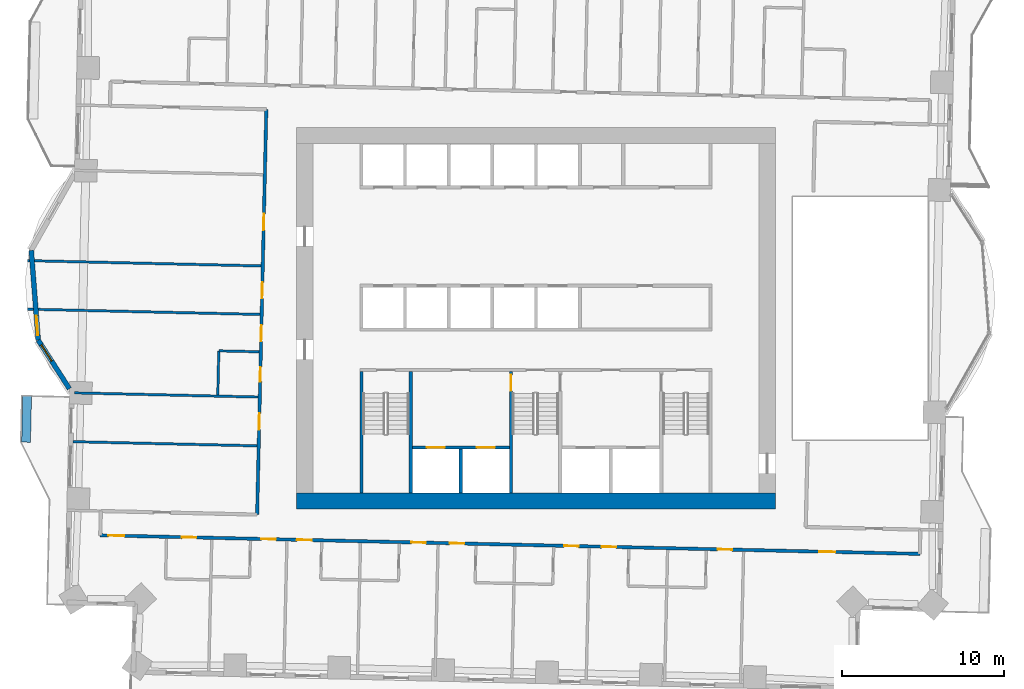
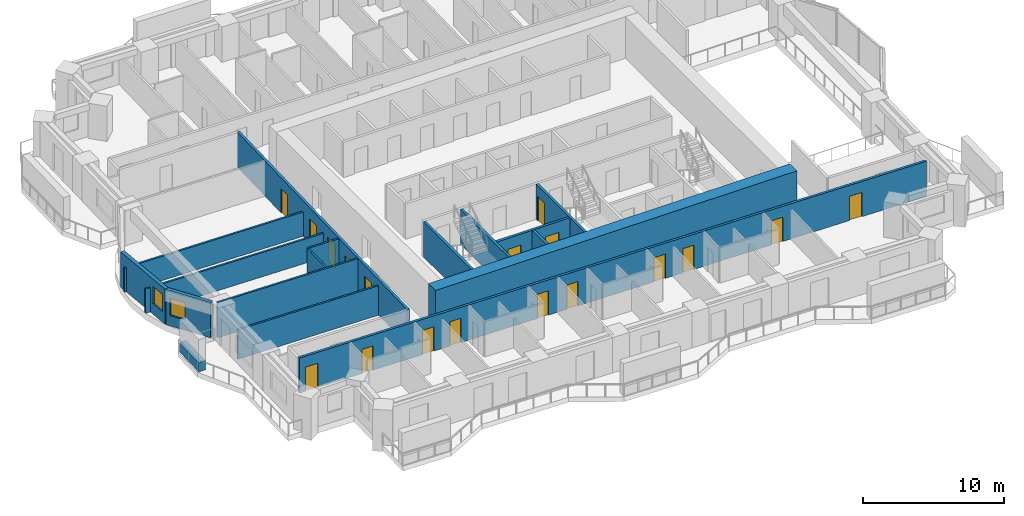
# One storey, part 7 of 16: 18 doors, 17 walls, 2 windows, 20 openings.
"""IFC4 building model written with IfcOpenShell, lengths in metres."""

from ifc_helpers import new_model, si_unit, direction, frame, frame_2d, origin, place, context, subcontext, project, spatial, rectangle, extrude, material, layer, layer_set, type_object, element, fill, save


model = new_model("IFC4")

# Units and contexts
model_context = context("Model", 3, precision=1e-05, world=origin(), true_north=direction((0.0, 1.0)))
body_context = subcontext(model_context, "Body", "Model", "MODEL_VIEW")
ifc_project = project(units=[si_unit("LENGTHUNIT", "METRE"), si_unit("AREAUNIT", "SQUARE_METRE"), si_unit("VOLUMEUNIT", "CUBIC_METRE"), si_unit("PLANEANGLEUNIT", "RADIAN"), si_unit("MASSUNIT", "GRAM", prefix="KILO")], contexts=[model_context])

# Site, building, storey
site_placement = place(None, origin())
site = spatial("IfcSite", under=ifc_project, at=site_placement, CompositionType="ELEMENT")
building_placement = place(site_placement, origin())
building = spatial("IfcBuilding", under=site, at=building_placement, Name="Mangrove Gate Tower", CompositionType="ELEMENT")
storey_placement = place(building_placement, frame((0.0, 0.0, 105.5)))
storey = spatial("IfcBuildingStorey", under=building, at=storey_placement, Name="L26", CompositionType="ELEMENT", Elevation=105.5)

# Wall, openings, doors
ifc_material_1 = material(Name="Concrete C70/85", Category="concrete")
ifc_layer_1 = layer(ifc_material_1, 0.199951171875)
ifc_layer_set_1 = layer_set([ifc_layer_1], Name="Core shaft wall 200 C70/85")
wall_type_1 = type_object("IfcWallType", Name="Core shaft wall 200 C70/85", PredefinedType="SHEAR", material=ifc_layer_set_1)
wall_1_placement = place(storey_placement, frame((-7.64990234375, -8.0, 0.0), z_axis=(0.0, 0.0, 1.0), x_axis=(1.0, 0.0, 0.0)))
wall_1 = element("IfcWall", 1, at=wall_1_placement, inside=storey, type_object=wall_type_1, Name="WALL-L26-CORE-15", PredefinedType="SHEAR", context=body_context, shape_type="SweptSolid", body=[
    extrude(rectangle(XDim=6.0, YDim=0.199951171875, at=frame_2d((3.0, 0.0))), origin(), (0.0, 0.0, 1.0), 3.050048828125),
])
opening_1_placement = place(wall_1_placement, frame((0.89990234375, 0.0, 0.0)))
opening_1 = element("IfcOpeningElement", 2, at=opening_1_placement, cuts=wall_1, Name="Opening LD", PredefinedType="OPENING", context=body_context, shape_type="SweptSolid", body=[
    extrude(rectangle(XDim=1.10009765625, YDim=2.10009765625, at=frame_2d((0.550048828125, 1.050048828125))), frame((0.0, 0.10986328125, 0.0), z_axis=(0.0, -1.0, 0.0), x_axis=(1.0, 0.0, 0.0)), (0.0, 0.0, 1.0), 0.219970703125),
])
opening_2_placement = place(wall_1_placement, frame((4.0, 0.0, 0.0)))
opening_2 = element("IfcOpeningElement", 3, at=opening_2_placement, cuts=wall_1, Name="Opening LD", PredefinedType="OPENING", context=body_context, shape_type="SweptSolid", body=[
    extrude(rectangle(XDim=1.10009765625, YDim=2.10009765625, at=frame_2d((0.550048828125, 1.050048828125))), frame((0.0, 0.10986328125, 0.0), z_axis=(0.0, -1.0, 0.0), x_axis=(1.0, 0.0, 0.0)), (0.0, 0.0, 1.0), 0.219970703125),
])
ifc_material_2 = material(Name="Stainless steel 316", Category="steel")
door_type_1 = type_object("IfcDoorType", Name="Lift landing door 1100x2100", OperationType="SLIDING_TO_LEFT", PredefinedType="DOOR", material=ifc_material_2)
door_1_placement = place(opening_1_placement, origin())
door_1 = element("IfcDoor", 4, at=door_1_placement, inside=storey, type_object=door_type_1, Name="Landing door LD SVL1", OperationType="SLIDING_TO_LEFT", OverallHeight=2.10009765625, OverallWidth=1.10009765625, PredefinedType="DOOR", context=body_context, shape_type="SweptSolid", body=[
    extrude(rectangle(XDim=1.10009765625, YDim=2.10009765625, at=frame_2d((0.550048828125, 1.050048828125))), frame((0.0, 0.02490234375, 0.0), z_axis=(0.0, -1.0, 0.0), x_axis=(1.0, 0.0, 0.0)), (0.0, 0.0, 1.0), 0.050048828125),
])
fill(opening_1, door_1)
door_2_placement = place(opening_2_placement, origin())
door_2 = element("IfcDoor", 5, at=door_2_placement, inside=storey, type_object=door_type_1, Name="Landing door LD SVL2", OperationType="SLIDING_TO_LEFT", OverallHeight=2.10009765625, OverallWidth=1.10009765625, PredefinedType="DOOR", context=body_context, shape_type="SweptSolid", body=[
    extrude(rectangle(XDim=1.10009765625, YDim=2.10009765625, at=frame_2d((0.550048828125, 1.050048828125))), frame((0.0, 0.02490234375, 0.0), z_axis=(0.0, -1.0, 0.0), x_axis=(1.0, 0.0, 0.0)), (0.0, 0.0, 1.0), 0.050048828125),
])
fill(opening_2, door_2)

# Walls
wall_2_placement = place(storey_placement, frame((-4.64990234375, -10.800048828125, 0.0), z_axis=(0.0, 0.0, 1.0), x_axis=(0.0, 1.0, 0.0)))
element("IfcWall", 6, at=wall_2_placement, inside=storey, type_object=wall_type_1, Name="WALL-L26-CORE-16", PredefinedType="SHEAR", context=body_context, shape_type="SweptSolid", body=[
    extrude(rectangle(XDim=2.699951171875, YDim=0.199951171875, at=frame_2d((1.35009765625, 0.0))), origin(), (0.0, 0.0, 1.0), 3.050048828125),
])
ifc_material_3 = material(Name="Concrete C70/85", Category="concrete")
ifc_layer_2 = layer(ifc_material_3, 0.199951171875)
ifc_layer_set_2 = layer_set([ifc_layer_2], Name="Core stair wall 200 C70/85")
wall_type_2 = type_object("IfcWallType", Name="Core stair wall 200 C70/85", PredefinedType="SHEAR", material=ifc_layer_set_2)
for number, where, z_axis, x_axis, name in (
    (7, (-10.800048828125, -10.800048828125, 0.0), (0.0, 0.0, 1.0), (0.0, 1.0, 0.0), "WALL-L26-CORE-9"),
    (8, (-7.75, -10.800048828125, 0.0), (0.0, 0.0, 1.0), (0.0, 1.0, 0.0), "WALL-L26-CORE-10"),
):
    element("IfcWall", number, at=place(storey_placement, frame(where, z_axis=z_axis, x_axis=x_axis)), inside=storey, type_object=wall_type_2, Name=name, PredefinedType="SHEAR", context=body_context, shape_type="SweptSolid", body=[
        extrude(rectangle(XDim=7.5, YDim=0.199951171875, at=frame_2d((3.75, 0.0))), origin(), (0.0, 0.0, 1.0), 3.050048828125),
    ])

# Wall, opening, door
wall_3_placement = place(storey_placement, frame((-1.550048828125, -10.800048828125, 0.0), z_axis=(0.0, 0.0, 1.0), x_axis=(0.0, 1.0, 0.0)))
wall_3 = element("IfcWall", 9, at=wall_3_placement, inside=storey, type_object=wall_type_2, Name="WALL-L26-CORE-11", PredefinedType="SHEAR", context=body_context, shape_type="SweptSolid", body=[
    extrude(rectangle(XDim=7.5, YDim=0.199951171875, at=frame_2d((3.75, 0.0))), origin(), (0.0, 0.0, 1.0), 3.050048828125),
])
opening_3_placement = place(wall_3_placement, frame((6.300048828125, 0.0, 0.0)))
opening_3 = element("IfcOpeningElement", 10, at=opening_3_placement, cuts=wall_3, Name="Opening STD10", PredefinedType="OPENING", context=body_context, shape_type="SweptSolid", body=[
    extrude(rectangle(XDim=1.0, YDim=2.10009765625, at=frame_2d((0.5, 1.050048828125))), frame((0.0, 0.10986328125, 0.0), z_axis=(0.0, -1.0, 0.0), x_axis=(1.0, 0.0, 0.0)), (0.0, 0.0, 1.0), 0.219970703125),
])
ifc_material_4 = material(Name="Fire-rated steel door set", Category="steel")
door_type_2 = type_object("IfcDoorType", Name="Stair door FD60 1000x2100", OperationType="SINGLE_SWING_RIGHT", PredefinedType="DOOR", material=ifc_material_4)
door_3_placement = place(opening_3_placement, origin())
door_3 = element("IfcDoor", 11, at=door_3_placement, inside=storey, type_object=door_type_2, Name="Stair door Stair 2 from service lobby", OperationType="SINGLE_SWING_RIGHT", OverallHeight=2.10009765625, OverallWidth=1.0, PredefinedType="DOOR", context=body_context, shape_type="SweptSolid", body=[
    extrude(rectangle(XDim=1.0, YDim=2.10009765625, at=frame_2d((0.5, 1.050048828125))), frame((0.0, 0.02490234375, 0.0), z_axis=(0.0, -1.0, 0.0), x_axis=(1.0, 0.0, 0.0)), (0.0, 0.0, 1.0), 0.050048828125),
])
fill(opening_3, door_3)

# Wall
ifc_material_5 = material(Name="Concrete C70/85", Category="concrete")
ifc_layer_3 = layer(ifc_material_5, 1.0)
ifc_layer_set_3 = layer_set([ifc_layer_3], Name="Core wall 1000 C70/85")
wall_type_3 = type_object("IfcWallType", Name="Core wall 1000 C70/85", PredefinedType="SHEAR", material=ifc_layer_set_3)
wall_4_placement = place(storey_placement, frame((-14.800048828125, -11.300048828125, 0.0), z_axis=(0.0, 0.0, 1.0), x_axis=(1.0, 0.0, 0.0)))
element("IfcWall", 12, at=wall_4_placement, inside=storey, type_object=wall_type_3, Name="WALL-L26-CORE-1", PredefinedType="SHEAR", context=body_context, shape_type="SweptSolid", body=[
    extrude(rectangle(XDim=29.60009765625, YDim=1.0, at=frame_2d((14.800048828125, 0.0))), origin(), (0.0, 0.0, 1.0), 3.60009765625),
])

# Wall, openings, doors
ifc_material_6 = material(Name="Gypsum board on steel stud, EI 60", Category="steel")
ifc_layer_4 = layer(ifc_material_6, 0.199951171875)
ifc_layer_set_4 = layer_set([ifc_layer_4], Name="Corridor wall EI 60")
wall_type_4 = type_object("IfcWallType", Name="Corridor wall EI 60", PredefinedType="PARTITIONING", material=ifc_layer_set_4)
wall_5_placement = place(storey_placement, frame((-26.952880859375, -13.428955078125, 0.0), z_axis=(0.0, 0.0, 1.0), x_axis=(0.999742734556, -0.02268181435, 0.0)))
wall_5 = element("IfcWall", 13, at=wall_5_placement, inside=storey, type_object=wall_type_4, Name="WALL-L26-022", PredefinedType="PARTITIONING", context=body_context, shape_type="SweptSolid", body=[
    extrude(rectangle(XDim=50.707763671875, YDim=0.199951171875, at=frame_2d((25.35400390625, 0.0))), origin(), (0.0, 0.0, 1.0), 3.050048828125),
])
opening_4_placement = place(wall_5_placement, frame((0.5, 0.0, 0.0)))
opening_4 = element("IfcOpeningElement", 14, at=opening_4_placement, cuts=wall_5, Name="Opening AD", PredefinedType="OPENING", context=body_context, shape_type="SweptSolid", body=[
    extrude(rectangle(XDim=1.0, YDim=2.10009765625, at=frame_2d((0.5, 1.050048828125))), frame((0.0, 0.10986328125, 0.0), z_axis=(0.0, -1.0, 0.0), x_axis=(1.0, 0.0, 0.0)), (0.0, 0.0, 1.0), 0.219970703125),
])
opening_5_placement = place(wall_5_placement, frame((5.050048828125, 0.0, 0.0)))
opening_5 = element("IfcOpeningElement", 15, at=opening_5_placement, cuts=wall_5, Name="Opening SD", PredefinedType="OPENING", context=body_context, shape_type="SweptSolid", body=[
    extrude(rectangle(XDim=0.89990234375, YDim=2.10009765625, at=frame_2d((0.449951171875, 1.050048828125))), frame((0.0, 0.10986328125, 0.0), z_axis=(0.0, -1.0, 0.0), x_axis=(1.0, 0.0, 0.0)), (0.0, 0.0, 1.0), 0.219970703125),
])
opening_6_placement = place(wall_5_placement, frame((9.97509765625, 0.0, 0.0)))
opening_6 = element("IfcOpeningElement", 16, at=opening_6_placement, cuts=wall_5, Name="Opening BD", PredefinedType="OPENING", context=body_context, shape_type="SweptSolid", body=[
    extrude(rectangle(XDim=0.89990234375, YDim=2.10009765625, at=frame_2d((0.449951171875, 1.050048828125))), frame((0.0, 0.10986328125, 0.0), z_axis=(0.0, -1.0, 0.0), x_axis=(1.0, 0.0, 0.0)), (0.0, 0.0, 1.0), 0.219970703125),
])
opening_7_placement = place(wall_5_placement, frame((12.175048828125, 0.0, 0.0)))
opening_7 = element("IfcOpeningElement", 17, at=opening_7_placement, cuts=wall_5, Name="Opening BD", PredefinedType="OPENING", context=body_context, shape_type="SweptSolid", body=[
    extrude(rectangle(XDim=0.89990234375, YDim=2.10009765625, at=frame_2d((0.449951171875, 1.050048828125))), frame((0.0, 0.10986328125, 0.0), z_axis=(0.0, -1.0, 0.0), x_axis=(1.0, 0.0, 0.0)), (0.0, 0.0, 1.0), 0.219970703125),
])
opening_8_placement = place(wall_5_placement, frame((19.25, 0.0, 0.0)))
opening_8 = element("IfcOpeningElement", 18, at=opening_8_placement, cuts=wall_5, Name="Opening BD", PredefinedType="OPENING", context=body_context, shape_type="SweptSolid", body=[
    extrude(rectangle(XDim=0.89990234375, YDim=2.10009765625, at=frame_2d((0.449951171875, 1.050048828125))), frame((0.0, 0.10986328125, 0.0), z_axis=(0.0, -1.0, 0.0), x_axis=(1.0, 0.0, 0.0)), (0.0, 0.0, 1.0), 0.219970703125),
])
opening_9_placement = place(wall_5_placement, frame((21.625, 0.0, 0.0)))
opening_9 = element("IfcOpeningElement", 19, at=opening_9_placement, cuts=wall_5, Name="Opening BD", PredefinedType="OPENING", context=body_context, shape_type="SweptSolid", body=[
    extrude(rectangle(XDim=0.89990234375, YDim=2.10009765625, at=frame_2d((0.449951171875, 1.050048828125))), frame((0.0, 0.10986328125, 0.0), z_axis=(0.0, -1.0, 0.0), x_axis=(1.0, 0.0, 0.0)), (0.0, 0.0, 1.0), 0.219970703125),
])
opening_10_placement = place(wall_5_placement, frame((28.699951171875, 0.0, 0.0)))
opening_10 = element("IfcOpeningElement", 20, at=opening_10_placement, cuts=wall_5, Name="Opening BD", PredefinedType="OPENING", context=body_context, shape_type="SweptSolid", body=[
    extrude(rectangle(XDim=0.89990234375, YDim=2.10009765625, at=frame_2d((0.449951171875, 1.050048828125))), frame((0.0, 0.10986328125, 0.0), z_axis=(0.0, -1.0, 0.0), x_axis=(1.0, 0.0, 0.0)), (0.0, 0.0, 1.0), 0.219970703125),
])
opening_11_placement = place(wall_5_placement, frame((31.02490234375, 0.0, 0.0)))
opening_11 = element("IfcOpeningElement", 21, at=opening_11_placement, cuts=wall_5, Name="Opening BD", PredefinedType="OPENING", context=body_context, shape_type="SweptSolid", body=[
    extrude(rectangle(XDim=0.89990234375, YDim=2.10009765625, at=frame_2d((0.449951171875, 1.050048828125))), frame((0.0, 0.10986328125, 0.0), z_axis=(0.0, -1.0, 0.0), x_axis=(1.0, 0.0, 0.0)), (0.0, 0.0, 1.0), 0.219970703125),
])
opening_12_placement = place(wall_5_placement, frame((38.199951171875, 0.0, 0.0)))
opening_12 = element("IfcOpeningElement", 22, at=opening_12_placement, cuts=wall_5, Name="Opening BD", PredefinedType="OPENING", context=body_context, shape_type="SweptSolid", body=[
    extrude(rectangle(XDim=0.89990234375, YDim=2.10009765625, at=frame_2d((0.449951171875, 1.050048828125))), frame((0.0, 0.10986328125, 0.0), z_axis=(0.0, -1.0, 0.0), x_axis=(1.0, 0.0, 0.0)), (0.0, 0.0, 1.0), 0.219970703125),
])
opening_13_placement = place(wall_5_placement, frame((44.48388671875, 0.0, 0.0)))
opening_13 = element("IfcOpeningElement", 23, at=opening_13_placement, cuts=wall_5, Name="Opening AD", PredefinedType="OPENING", context=body_context, shape_type="SweptSolid", body=[
    extrude(rectangle(XDim=1.0, YDim=2.10009765625, at=frame_2d((0.5, 1.050048828125))), frame((0.0, 0.10986328125, 0.0), z_axis=(0.0, -1.0, 0.0), x_axis=(1.0, 0.0, 0.0)), (0.0, 0.0, 1.0), 0.219970703125),
])
ifc_material_7 = material(Name="Timber door leaf", Category="wood")
door_type_3 = type_object("IfcDoorType", Name="Amenity door 1000", OperationType="SINGLE_SWING_LEFT", PredefinedType="DOOR", material=ifc_material_7)
door_4_placement = place(opening_4_placement, origin())
door_4 = element("IfcDoor", 24, at=door_4_placement, inside=storey, type_object=door_type_3, Name="DOOR-L26-KIT-c1a", OperationType="SINGLE_SWING_LEFT", OverallHeight=2.10009765625, OverallWidth=1.0, PredefinedType="DOOR", context=body_context, shape_type="SweptSolid", body=[
    extrude(rectangle(XDim=1.0, YDim=2.10009765625, at=frame_2d((0.5, 1.050048828125))), frame((0.0, 0.02490234375, 0.0), z_axis=(0.0, -1.0, 0.0), x_axis=(1.0, 0.0, 0.0)), (0.0, 0.0, 1.0), 0.050048828125),
])
fill(opening_4, door_4)
door_5_placement = place(opening_13_placement, origin())
door_5 = element("IfcDoor", 25, at=door_5_placement, inside=storey, type_object=door_type_3, Name="DOOR-L26-LNG-c3a", OperationType="SINGLE_SWING_RIGHT", OverallHeight=2.10009765625, OverallWidth=1.0, PredefinedType="DOOR", context=body_context, shape_type="SweptSolid", body=[
    extrude(rectangle(XDim=1.0, YDim=2.10009765625, at=frame_2d((0.5, 1.050048828125))), frame((0.0, 0.02490234375, 0.0), z_axis=(0.0, -1.0, 0.0), x_axis=(1.0, 0.0, 0.0)), (0.0, 0.0, 1.0), 0.050048828125),
])
fill(opening_13, door_5)
ifc_material_8 = material(Name="Timber door leaf", Category="wood")
door_type_4 = type_object("IfcDoorType", Name="Bedroom door 900", OperationType="SINGLE_SWING_LEFT", PredefinedType="DOOR", material=ifc_material_8)
door_6_placement = place(opening_6_placement, origin())
door_6 = element("IfcDoor", 26, at=door_6_placement, inside=storey, type_object=door_type_4, Name="DOOR-L26-BED-c101", OperationType="SINGLE_SWING_LEFT", OverallHeight=2.10009765625, OverallWidth=0.89990234375, PredefinedType="DOOR", context=body_context, shape_type="SweptSolid", body=[
    extrude(rectangle(XDim=0.89990234375, YDim=2.10009765625, at=frame_2d((0.449951171875, 1.050048828125))), frame((0.0, 0.02490234375, 0.0), z_axis=(0.0, -1.0, 0.0), x_axis=(1.0, 0.0, 0.0)), (0.0, 0.0, 1.0), 0.050048828125),
])
fill(opening_6, door_6)
door_7_placement = place(opening_7_placement, origin())
door_7 = element("IfcDoor", 27, at=door_7_placement, inside=storey, type_object=door_type_4, Name="DOOR-L26-BED-c102", OperationType="SINGLE_SWING_RIGHT", OverallHeight=2.10009765625, OverallWidth=0.89990234375, PredefinedType="DOOR", context=body_context, shape_type="SweptSolid", body=[
    extrude(rectangle(XDim=0.89990234375, YDim=2.10009765625, at=frame_2d((0.449951171875, 1.050048828125))), frame((0.0, 0.02490234375, 0.0), z_axis=(0.0, -1.0, 0.0), x_axis=(1.0, 0.0, 0.0)), (0.0, 0.0, 1.0), 0.050048828125),
])
fill(opening_7, door_7)
door_8_placement = place(opening_8_placement, origin())
door_8 = element("IfcDoor", 28, at=door_8_placement, inside=storey, type_object=door_type_4, Name="DOOR-L26-BED-c103", OperationType="SINGLE_SWING_LEFT", OverallHeight=2.10009765625, OverallWidth=0.89990234375, PredefinedType="DOOR", context=body_context, shape_type="SweptSolid", body=[
    extrude(rectangle(XDim=0.89990234375, YDim=2.10009765625, at=frame_2d((0.449951171875, 1.050048828125))), frame((0.0, 0.02490234375, 0.0), z_axis=(0.0, -1.0, 0.0), x_axis=(1.0, 0.0, 0.0)), (0.0, 0.0, 1.0), 0.050048828125),
])
fill(opening_8, door_8)
door_9_placement = place(opening_9_placement, origin())
door_9 = element("IfcDoor", 29, at=door_9_placement, inside=storey, type_object=door_type_4, Name="DOOR-L26-BED-c204", OperationType="SINGLE_SWING_RIGHT", OverallHeight=2.10009765625, OverallWidth=0.89990234375, PredefinedType="DOOR", context=body_context, shape_type="SweptSolid", body=[
    extrude(rectangle(XDim=0.89990234375, YDim=2.10009765625, at=frame_2d((0.449951171875, 1.050048828125))), frame((0.0, 0.02490234375, 0.0), z_axis=(0.0, -1.0, 0.0), x_axis=(1.0, 0.0, 0.0)), (0.0, 0.0, 1.0), 0.050048828125),
])
fill(opening_9, door_9)
door_10_placement = place(opening_10_placement, origin())
door_10 = element("IfcDoor", 30, at=door_10_placement, inside=storey, type_object=door_type_4, Name="DOOR-L26-BED-c205", OperationType="SINGLE_SWING_LEFT", OverallHeight=2.10009765625, OverallWidth=0.89990234375, PredefinedType="DOOR", context=body_context, shape_type="SweptSolid", body=[
    extrude(rectangle(XDim=0.89990234375, YDim=2.10009765625, at=frame_2d((0.449951171875, 1.050048828125))), frame((0.0, 0.02490234375, 0.0), z_axis=(0.0, -1.0, 0.0), x_axis=(1.0, 0.0, 0.0)), (0.0, 0.0, 1.0), 0.050048828125),
])
fill(opening_10, door_10)
door_11_placement = place(opening_11_placement, origin())
door_11 = element("IfcDoor", 31, at=door_11_placement, inside=storey, type_object=door_type_4, Name="DOOR-L26-BED-c206", OperationType="SINGLE_SWING_RIGHT", OverallHeight=2.10009765625, OverallWidth=0.89990234375, PredefinedType="DOOR", context=body_context, shape_type="SweptSolid", body=[
    extrude(rectangle(XDim=0.89990234375, YDim=2.10009765625, at=frame_2d((0.449951171875, 1.050048828125))), frame((0.0, 0.02490234375, 0.0), z_axis=(0.0, -1.0, 0.0), x_axis=(1.0, 0.0, 0.0)), (0.0, 0.0, 1.0), 0.050048828125),
])
fill(opening_11, door_11)
door_12_placement = place(opening_12_placement, origin())
door_12 = element("IfcDoor", 32, at=door_12_placement, inside=storey, type_object=door_type_4, Name="DOOR-L26-BED-c307", OperationType="SINGLE_SWING_LEFT", OverallHeight=2.10009765625, OverallWidth=0.89990234375, PredefinedType="DOOR", context=body_context, shape_type="SweptSolid", body=[
    extrude(rectangle(XDim=0.89990234375, YDim=2.10009765625, at=frame_2d((0.449951171875, 1.050048828125))), frame((0.0, 0.02490234375, 0.0), z_axis=(0.0, -1.0, 0.0), x_axis=(1.0, 0.0, 0.0)), (0.0, 0.0, 1.0), 0.050048828125),
])
fill(opening_12, door_12)
ifc_material_9 = material(Name="Timber door leaf", Category="wood")
door_type_5 = type_object("IfcDoorType", Name="Service room door 900", OperationType="SINGLE_SWING_LEFT", PredefinedType="DOOR", material=ifc_material_9)
door_13_placement = place(opening_5_placement, origin())
door_13 = element("IfcDoor", 33, at=door_13_placement, inside=storey, type_object=door_type_5, Name="DOOR-L26-LDY-c1a", OperationType="SINGLE_SWING_LEFT", OverallHeight=2.10009765625, OverallWidth=0.89990234375, PredefinedType="DOOR", context=body_context, shape_type="SweptSolid", body=[
    extrude(rectangle(XDim=0.89990234375, YDim=2.10009765625, at=frame_2d((0.449951171875, 1.050048828125))), frame((0.0, 0.02490234375, 0.0), z_axis=(0.0, -1.0, 0.0), x_axis=(1.0, 0.0, 0.0)), (0.0, 0.0, 1.0), 0.050048828125),
])
fill(opening_5, door_13)

wall_6_placement = place(storey_placement, frame((-17.2470703125, -12.14892578125, 0.0), z_axis=(0.0, 0.0, 1.0), x_axis=(0.022696191528, 0.999742408268, 0.0)))
wall_6 = element("IfcWall", 34, at=wall_6_placement, inside=storey, type_object=wall_type_4, Name="WALL-L26-027", PredefinedType="PARTITIONING", context=body_context, shape_type="SweptSolid", body=[
    extrude(rectangle(XDim=25.07421875, YDim=0.199951171875, at=frame_2d((12.537109375, 0.0))), origin(), (0.0, 0.0, 1.0), 3.050048828125),
])
opening_14_placement = place(wall_6_placement, frame((17.60400390625, 0.0, 0.0)))
opening_14 = element("IfcOpeningElement", 35, at=opening_14_placement, cuts=wall_6, Name="Opening AD", PredefinedType="OPENING", context=body_context, shape_type="SweptSolid", body=[
    extrude(rectangle(XDim=1.0, YDim=2.10009765625, at=frame_2d((0.5, 1.050048828125))), frame((0.0, 0.10986328125, 0.0), z_axis=(0.0, -1.0, 0.0), x_axis=(1.0, 0.0, 0.0)), (0.0, 0.0, 1.0), 0.219970703125),
])
opening_15_placement = place(wall_6_placement, frame((13.3759765625, 0.0, 0.0)))
opening_15 = element("IfcOpeningElement", 36, at=opening_15_placement, cuts=wall_6, Name="Opening AD", PredefinedType="OPENING", context=body_context, shape_type="SweptSolid", body=[
    extrude(rectangle(XDim=1.0, YDim=2.10009765625, at=frame_2d((0.5, 1.050048828125))), frame((0.0, 0.10986328125, 0.0), z_axis=(0.0, -1.0, 0.0), x_axis=(1.0, 0.0, 0.0)), (0.0, 0.0, 1.0), 0.219970703125),
])
opening_16_placement = place(wall_6_placement, frame((10.72509765625, 0.0, 0.0)))
opening_16 = element("IfcOpeningElement", 37, at=opening_16_placement, cuts=wall_6, Name="Opening AD", PredefinedType="OPENING", context=body_context, shape_type="SweptSolid", body=[
    extrude(rectangle(XDim=1.0, YDim=2.10009765625, at=frame_2d((0.5, 1.050048828125))), frame((0.0, 0.10986328125, 0.0), z_axis=(0.0, -1.0, 0.0), x_axis=(1.0, 0.0, 0.0)), (0.0, 0.0, 1.0), 0.219970703125),
])
opening_17_placement = place(wall_6_placement, frame((8.22509765625, 0.0, 0.0)))
opening_17 = element("IfcOpeningElement", 38, at=opening_17_placement, cuts=wall_6, Name="Opening SD", PredefinedType="OPENING", context=body_context, shape_type="SweptSolid", body=[
    extrude(rectangle(XDim=0.89990234375, YDim=2.10009765625, at=frame_2d((0.449951171875, 1.050048828125))), frame((0.0, 0.10986328125, 0.0), z_axis=(0.0, -1.0, 0.0), x_axis=(1.0, 0.0, 0.0)), (0.0, 0.0, 1.0), 0.219970703125),
])
opening_18_placement = place(wall_6_placement, frame((5.261962890625, 0.0, 0.0)))
opening_18 = element("IfcOpeningElement", 39, at=opening_18_placement, cuts=wall_6, Name="Opening AD", PredefinedType="OPENING", context=body_context, shape_type="SweptSolid", body=[
    extrude(rectangle(XDim=1.0, YDim=2.10009765625, at=frame_2d((0.5, 1.050048828125))), frame((0.0, 0.10986328125, 0.0), z_axis=(0.0, -1.0, 0.0), x_axis=(1.0, 0.0, 0.0)), (0.0, 0.0, 1.0), 0.219970703125),
])
door_14_placement = place(opening_14_placement, origin())
door_14 = element("IfcDoor", 40, at=door_14_placement, inside=storey, type_object=door_type_3, Name="DOOR-L26-GAM-c5b", OperationType="SINGLE_SWING_RIGHT", OverallHeight=2.10009765625, OverallWidth=1.0, PredefinedType="DOOR", context=body_context, shape_type="SweptSolid", body=[
    extrude(rectangle(XDim=1.0, YDim=2.10009765625, at=frame_2d((0.5, 1.050048828125))), frame((0.0, 0.02490234375, 0.0), z_axis=(0.0, -1.0, 0.0), x_axis=(1.0, 0.0, 0.0)), (0.0, 0.0, 1.0), 0.050048828125),
])
fill(opening_14, door_14)
door_15_placement = place(opening_15_placement, origin())
door_15 = element("IfcDoor", 41, at=door_15_placement, inside=storey, type_object=door_type_3, Name="DOOR-L26-STU-c5a", OperationType="SINGLE_SWING_LEFT", OverallHeight=2.10009765625, OverallWidth=1.0, PredefinedType="DOOR", context=body_context, shape_type="SweptSolid", body=[
    extrude(rectangle(XDim=1.0, YDim=2.10009765625, at=frame_2d((0.5, 1.050048828125))), frame((0.0, 0.02490234375, 0.0), z_axis=(0.0, -1.0, 0.0), x_axis=(1.0, 0.0, 0.0)), (0.0, 0.0, 1.0), 0.050048828125),
])
fill(opening_15, door_15)
door_16_placement = place(opening_16_placement, origin())
door_16 = element("IfcDoor", 42, at=door_16_placement, inside=storey, type_object=door_type_3, Name="DOOR-L26-KIT-c5b", OperationType="SINGLE_SWING_RIGHT", OverallHeight=2.10009765625, OverallWidth=1.0, PredefinedType="DOOR", context=body_context, shape_type="SweptSolid", body=[
    extrude(rectangle(XDim=1.0, YDim=2.10009765625, at=frame_2d((0.5, 1.050048828125))), frame((0.0, 0.02490234375, 0.0), z_axis=(0.0, -1.0, 0.0), x_axis=(1.0, 0.0, 0.0)), (0.0, 0.0, 1.0), 0.050048828125),
])
fill(opening_16, door_16)
door_17_placement = place(opening_18_placement, origin())
door_17 = element("IfcDoor", 43, at=door_17_placement, inside=storey, type_object=door_type_3, Name="DOOR-L26-STU-c5b", OperationType="SINGLE_SWING_LEFT", OverallHeight=2.10009765625, OverallWidth=1.0, PredefinedType="DOOR", context=body_context, shape_type="SweptSolid", body=[
    extrude(rectangle(XDim=1.0, YDim=2.10009765625, at=frame_2d((0.5, 1.050048828125))), frame((0.0, 0.02490234375, 0.0), z_axis=(0.0, -1.0, 0.0), x_axis=(1.0, 0.0, 0.0)), (0.0, 0.0, 1.0), 0.050048828125),
])
fill(opening_18, door_17)
door_18_placement = place(opening_17_placement, origin())
door_18 = element("IfcDoor", 44, at=door_18_placement, inside=storey, type_object=door_type_5, Name="DOOR-L26-LDY-c5a", OperationType="SINGLE_SWING_RIGHT", OverallHeight=2.10009765625, OverallWidth=0.89990234375, PredefinedType="DOOR", context=body_context, shape_type="SweptSolid", body=[
    extrude(rectangle(XDim=0.89990234375, YDim=2.10009765625, at=frame_2d((0.449951171875, 1.050048828125))), frame((0.0, 0.02490234375, 0.0), z_axis=(0.0, -1.0, 0.0), x_axis=(1.0, 0.0, 0.0)), (0.0, 0.0, 1.0), 0.050048828125),
])
fill(opening_17, door_18)

# Wall, opening, window
ifc_material_10 = material(Name="Limestone", Category="masonry")
ifc_layer_5 = layer(ifc_material_10, 0.0400390625, Name="Limestone cladding")
ifc_material_11 = material(Name="Ventilated air gap")
ifc_layer_6 = layer(ifc_material_11, 0.0400390625, Name="Ventilated cavity")
ifc_material_12 = material(Name="Mineral wool insulation")
ifc_layer_7 = layer(ifc_material_12, 0.06005859375, Name="Insulation")
ifc_material_13 = material(Name="Breather membrane")
ifc_layer_8 = layer(ifc_material_13, 0.001953125, Name="Breather membrane")
ifc_material_14 = material(Name="Concrete C20/25 blockwork", Category="masonry")
ifc_layer_9 = layer(ifc_material_14, 0.14990234375, Name="Blockwork backing wall")
ifc_material_15 = material(Name="Gypsum plaster")
ifc_layer_10 = layer(ifc_material_15, 0.008056640625, Name="Internal plaster")
ifc_layer_set_5 = layer_set([ifc_layer_5, ifc_layer_6, ifc_layer_7, ifc_layer_8, ifc_layer_9, ifc_layer_10], Name="External wall 300 limestone cladding")
wall_type_5 = type_object("IfcWallType", Name="External wall 300 limestone cladding", PredefinedType="SOLIDWALL", material=ifc_layer_set_5)
wall_7_placement = place(storey_placement, frame((-31.216064453125, 4.196044921875, 0.0), z_axis=(0.0, 0.0, 1.0), x_axis=(0.077178825362, -0.997017266107, 0.0)))
wall_7 = element("IfcWall", 45, at=wall_7_placement, inside=storey, type_object=wall_type_5, Name="WALL-L26-W9f2", PredefinedType="SOLIDWALL", context=body_context, shape_type="SweptSolid", body=[
    extrude(rectangle(XDim=5.57373046875, YDim=0.300048828125, at=frame_2d((2.786865234375, 0.0))), origin(), (0.0, 0.0, 1.0), 3.050048828125),
])
opening_19_placement = place(wall_7_placement, frame((4.05810546875, 0.0, 0.89990234375)))
opening_19 = element("IfcOpeningElement", 46, at=opening_19_placement, cuts=wall_7, Name="Opening W1", PredefinedType="OPENING", context=body_context, shape_type="SweptSolid", body=[
    extrude(rectangle(XDim=1.199951171875, YDim=1.5, at=frame_2d((0.60009765625, 0.75))), frame((0.0, 0.159912109375, 0.0), z_axis=(0.0, -1.0, 0.0), x_axis=(1.0, 0.0, 0.0)), (0.0, 0.0, 1.0), 0.320068359375),
])
ifc_material_16 = material(Name="Aluminium frame with double-glazed low-e glass", Category="aluminium")
window_type = type_object("IfcWindowType", Name="Side lite 1200x1500", PartitioningType="SINGLE_PANEL", PredefinedType="WINDOW", material=ifc_material_16)
window_1_placement = place(opening_19_placement, origin())
window_1 = element("IfcWindow", 47, at=window_1_placement, inside=storey, type_object=window_type, Name="WIN-L26-W9f2", OverallHeight=1.5, OverallWidth=1.199951171875, PartitioningType="SINGLE_PANEL", PredefinedType="WINDOW", context=body_context, shape_type="SweptSolid", body=[
    extrude(rectangle(XDim=1.199951171875, YDim=1.5, at=frame_2d((0.60009765625, 0.75))), frame((0.0, 0.030029296875, 0.0), z_axis=(0.0, -1.0, 0.0), x_axis=(1.0, 0.0, 0.0)), (0.0, 0.0, 1.0), 0.06005859375),
])
fill(opening_19, window_1)

wall_8_placement = place(storey_placement, frame((-30.785888671875, -1.361083984375, 0.0), z_axis=(0.0, 0.0, 1.0), x_axis=(0.54058467792, -0.841289608873, 0.0)))
wall_8 = element("IfcWall", 48, at=wall_8_placement, inside=storey, type_object=wall_type_5, Name="WALL-L26-W9f3", PredefinedType="SOLIDWALL", context=body_context, shape_type="SweptSolid", body=[
    extrude(rectangle(XDim=3.568359375, YDim=0.300048828125, at=frame_2d((1.7841796875, 0.0))), origin(), (0.0, 0.0, 1.0), 3.050048828125),
])
opening_20_placement = place(wall_8_placement, frame((0.337890625, 0.0, 0.89990234375)))
opening_20 = element("IfcOpeningElement", 49, at=opening_20_placement, cuts=wall_8, Name="Opening W1", PredefinedType="OPENING", context=body_context, shape_type="SweptSolid", body=[
    extrude(rectangle(XDim=1.199951171875, YDim=1.5, at=frame_2d((0.60009765625, 0.75))), frame((0.0, 0.159912109375, 0.0), z_axis=(0.0, -1.0, 0.0), x_axis=(1.0, 0.0, 0.0)), (0.0, 0.0, 1.0), 0.320068359375),
])
window_2_placement = place(opening_20_placement, origin())
window_2 = element("IfcWindow", 50, at=window_2_placement, inside=storey, type_object=window_type, Name="WIN-L26-W9f3", OverallHeight=1.5, OverallWidth=1.199951171875, PartitioningType="SINGLE_PANEL", PredefinedType="WINDOW", context=body_context, shape_type="SweptSolid", body=[
    extrude(rectangle(XDim=1.199951171875, YDim=1.5, at=frame_2d((0.60009765625, 0.75))), frame((0.0, 0.030029296875, 0.0), z_axis=(0.0, -1.0, 0.0), x_axis=(1.0, 0.0, 0.0)), (0.0, 0.0, 1.0), 0.06005859375),
])
fill(opening_20, window_2)

# Walls
ifc_material_17 = material(Name="Gypsum board on steel stud, EI 60", Category="steel")
ifc_layer_11 = layer(ifc_material_17, 0.14990234375)
ifc_layer_set_6 = layer_set([ifc_layer_11], Name="Party wall 150 EI 60")
wall_type_6 = type_object("IfcWallType", Name="Party wall 150 EI 60", PredefinedType="PARTITIONING", material=ifc_layer_set_6)
wall_9_placement = place(storey_placement, frame((-28.6220703125, -7.638916015625, 0.0), z_axis=(0.0, 0.0, 1.0), x_axis=(0.999742544331, -0.022690197315, 0.0)))
element("IfcWall", 51, at=wall_9_placement, inside=storey, type_object=wall_type_6, Name="WALL-L26-031", PredefinedType="PARTITIONING", context=body_context, shape_type="SweptSolid", body=[
    extrude(rectangle(XDim=11.373046875, YDim=0.14990234375, at=frame_2d((5.6865234375, 0.0))), origin(), (0.0, 0.0, 1.0), 2.550048828125),
])
wall_10_placement = place(storey_placement, frame((-28.552978515625, -4.6201171875, 0.0), z_axis=(0.0, 0.0, 1.0), x_axis=(0.999743020026, -0.022669228257, 0.0)))
element("IfcWall", 52, at=wall_10_placement, inside=storey, type_object=wall_type_6, Name="WALL-L26-032", PredefinedType="PARTITIONING", context=body_context, shape_type="SweptSolid", body=[
    extrude(rectangle(XDim=11.372802734375, YDim=0.14990234375, at=frame_2d((5.6865234375, 0.0))), origin(), (0.0, 0.0, 1.0), 3.050048828125),
])
wall_11_placement = place(storey_placement, frame((-19.679931640625, -4.740966796875, 0.0), z_axis=(0.0, 0.0, 1.0), x_axis=(0.022760079124, 0.999740955847, 0.0)))
element("IfcWall", 53, at=wall_11_placement, inside=storey, type_object=wall_type_6, Name="WALL-L26-033", PredefinedType="PARTITIONING", context=body_context, shape_type="SweptSolid", body=[
    extrude(rectangle(XDim=2.724609375, YDim=0.14990234375, at=frame_2d((1.3623046875, 0.0))), origin(), (0.0, 0.0, 1.0), 3.050048828125),
])
wall_12_placement = place(storey_placement, frame((-19.618896484375, -2.02197265625, 0.0), z_axis=(0.0, 0.0, 1.0), x_axis=(0.999738750294, -0.02285675306, 0.0)))
element("IfcWall", 54, at=wall_12_placement, inside=storey, type_object=wall_type_6, Name="WALL-L26-034", PredefinedType="PARTITIONING", context=body_context, shape_type="SweptSolid", body=[
    extrude(rectangle(XDim=2.49951171875, YDim=0.14990234375, at=frame_2d((1.249755859375, 0.0))), origin(), (0.0, 0.0, 1.0), 3.050048828125),
])
wall_13_placement = place(storey_placement, frame((-31.4580078125, 0.556884765625, 0.0), z_axis=(0.0, 0.0, 1.0), x_axis=(0.999743636126, -0.022642041092, 0.0)))
element("IfcWall", 55, at=wall_13_placement, inside=storey, type_object=wall_type_6, Name="WALL-L26-035", PredefinedType="PARTITIONING", context=body_context, shape_type="SweptSolid", body=[
    extrude(rectangle(XDim=14.394775390625, YDim=0.14990234375, at=frame_2d((7.197265625, 0.0))), origin(), (0.0, 0.0, 1.0), 2.10009765625),
])
wall_14_placement = place(storey_placement, frame((-31.445068359375, 3.55810546875, 0.0), z_axis=(0.0, 0.0, 1.0), x_axis=(0.999742140748, -0.022707972439, 0.0)))
element("IfcWall", 56, at=wall_14_placement, inside=storey, type_object=wall_type_6, Name="WALL-L26-036", PredefinedType="PARTITIONING", context=body_context, shape_type="SweptSolid", body=[
    extrude(rectangle(XDim=14.44970703125, YDim=0.14990234375, at=frame_2d((7.224853515625, 0.0))), origin(), (0.0, 0.0, 1.0), 2.10009765625),
])
ifc_material_18 = material(Name="Concrete C32/40", Category="concrete")
ifc_layer_12 = layer(ifc_material_18, 0.199951171875, Name="Planter trough wall")
ifc_material_19 = material(Name="Bituminous waterproofing membrane")
ifc_layer_13 = layer(ifc_material_19, 0.0048828125, Name="Waterproofing")
ifc_material_20 = material(Name="Drainage board and gravel")
ifc_layer_14 = layer(ifc_material_20, 0.044921875, Name="Drainage layer")
ifc_material_21 = material(Name="Planting soil")
ifc_layer_15 = layer(ifc_material_21, 0.300048828125, Name="Growing medium")
ifc_layer_set_7 = layer_set([ifc_layer_12, ifc_layer_13, ifc_layer_14, ifc_layer_15], Name="Planter wall 550 C32/40")
wall_type_7 = type_object("IfcWallType", Name="Planter wall 550 C32/40", PredefinedType="USERDEFINED", material=ifc_layer_set_7)
wall_15_placement = place(storey_placement, frame((-31.5380859375, -7.673095703125, 0.0), z_axis=(0.0, 0.0, 1.0), x_axis=(0.022675106248, 0.999742886725, 0.0)))
element("IfcWall", 57, at=wall_15_placement, inside=storey, type_object=wall_type_7, Name="PLANTER L26 W1.1", ObjectType="PLANTER", PredefinedType="USERDEFINED", context=body_context, shape_type="SweptSolid", body=[
    extrude(rectangle(XDim=2.874755859375, YDim=0.550048828125, at=frame_2d((1.4375, 0.0))), origin(), (0.0, 0.0, 1.0), 0.800048828125),
])

save(model, "model.ifc")
